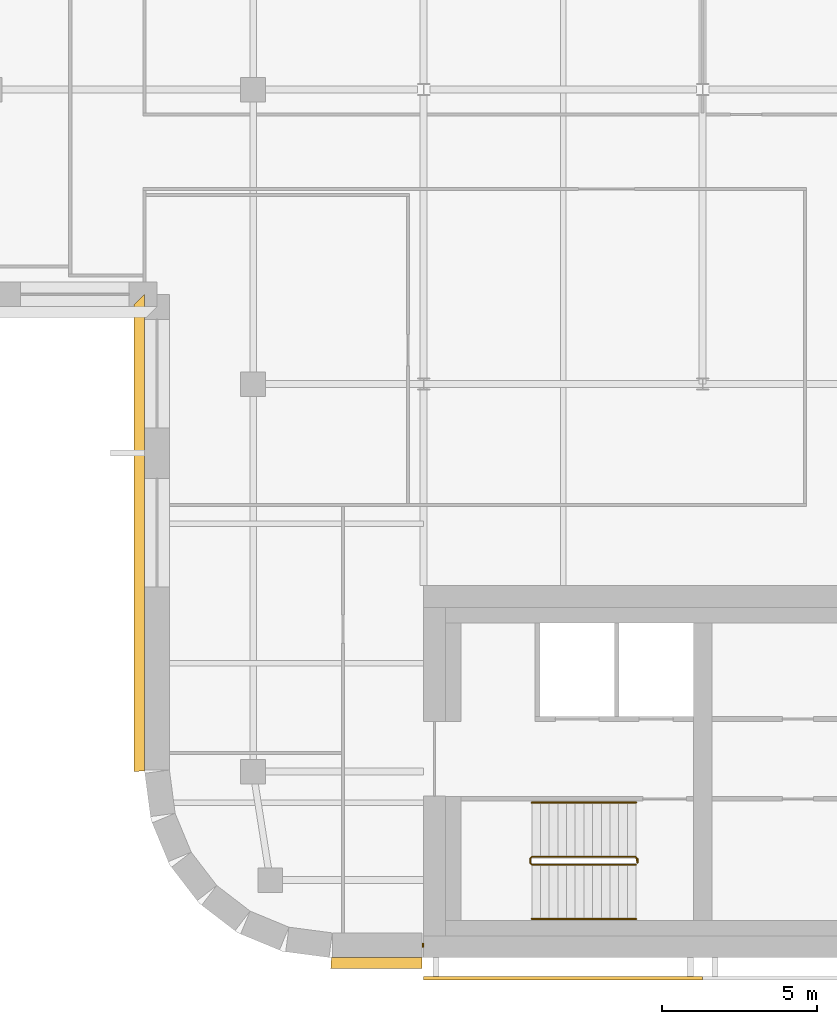
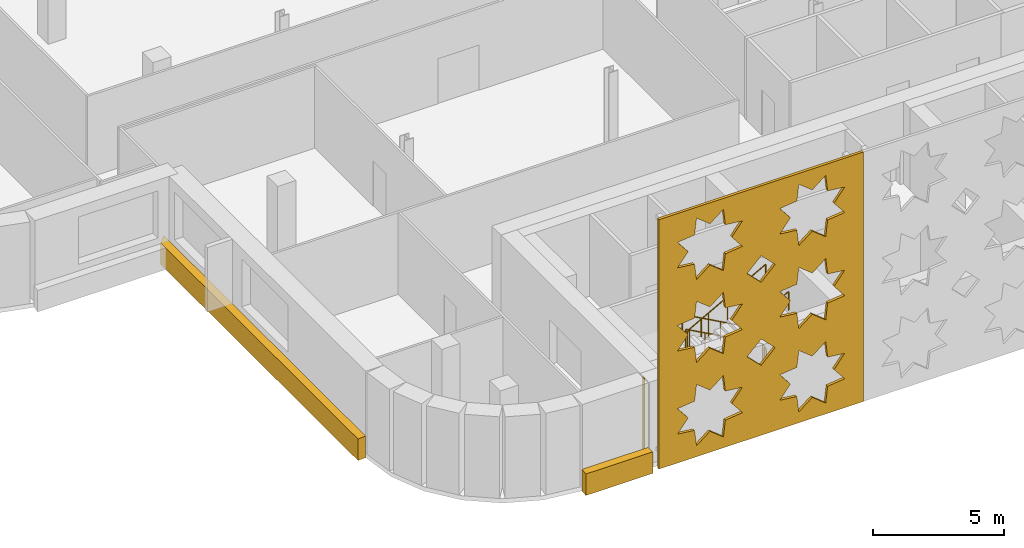
# One storey, part 13 of 17: 4 coverings, 3 railings.
"""IFC4 building model written with IfcOpenShell, lengths in metres."""

from ifc_helpers import new_model, si_unit, direction, frame, origin, origin_2d, place, context, subcontext, project, spatial, polyline, rectangle, circle, outline, extrude, material, layer, layer_set, type_object, element, save


model = new_model("IFC4")

# Units and contexts
model_context = context("Model", 3, precision=1e-05, world=origin(), true_north=direction((0.0, 1.0)))
body_context = subcontext(model_context, "Body", "Model", "MODEL_VIEW")
ifc_project = project(units=[si_unit("LENGTHUNIT", "METRE"), si_unit("AREAUNIT", "SQUARE_METRE"), si_unit("VOLUMEUNIT", "CUBIC_METRE"), si_unit("PLANEANGLEUNIT", "RADIAN"), si_unit("MASSUNIT", "GRAM", prefix="KILO")], contexts=[model_context])

# Site, building, storey
site_placement = place(None, origin())
site = spatial("IfcSite", under=ifc_project, at=site_placement, CompositionType="ELEMENT")
building_placement = place(site_placement, origin())
building = spatial("IfcBuilding", under=site, at=building_placement, Name="Zellij Exchange Tower", CompositionType="ELEMENT")
storey_placement = place(building_placement, frame((0.0, 0.0, 252.5)))
storey = spatial("IfcBuildingStorey", under=building, at=storey_placement, Name="L59", CompositionType="ELEMENT", Elevation=252.5)

# Railings
ifc_material_1 = material(Name="Stainless steel", Category="steel")
railing_type_1 = type_object("IfcRailingType", Name="CORE-RG stair guard", PredefinedType="GUARDRAIL", material=ifc_material_1)
railing_1_placement = place(storey_placement, frame((-20.10009765625, -10.800048828125, 0.0)))
element("IfcRailing", 1, at=railing_1_placement, inside=storey, type_object=railing_type_1, Name="ST1 stair guard L59", PredefinedType="GUARDRAIL", context=body_context, shape_type="SweptSolid", body=[
    extrude(circle(Radius=0.02392578125, at=origin_2d()), frame((0.0, 0.0, 1.076171875), z_axis=(0.0, -1.0, 0.0), x_axis=(1.0, 0.0, 0.0)), (0.0, 0.0, 1.0), 0.14990234375),
    extrude(circle(Radius=0.02392578125, at=origin_2d()), frame((0.0, -0.14990234375, 1.076171875), z_axis=(-0.193691321961, 0.777613689637, 0.598164376644), x_axis=(-0.970351222016, -0.241699205484, 0.0)), (0.0, 0.0, 1.0), 0.257080078125),
    extrude(circle(Radius=0.02392578125, at=origin_2d()), frame((-0.0498046875, 0.050048828125, 1.22998046875), z_axis=(-0.876421534553, 0.0, 0.481544695509), x_axis=(0.0, -1.0, 0.0)), (0.0, 0.0, 1.0), 3.833984375),
    extrude(circle(Radius=0.02392578125, at=origin_2d()), frame((-3.409912109375, 0.050048828125, 3.076171875), z_axis=(-0.707106781187, -0.707106781187, 0.0), x_axis=(0.707106781187, -0.707106781187, 0.0)), (0.0, 0.0, 1.0), 0.07080078125),
    extrude(circle(Radius=0.02392578125, at=origin_2d()), frame((-3.4599609375, 0.0, 3.076171875), z_axis=(0.0, -1.0, 0.0), x_axis=(1.0, 0.0, 0.0)), (0.0, 0.0, 1.0), 0.14990234375),
    extrude(circle(Radius=0.02392578125, at=origin_2d()), frame((-3.4599609375, -0.14990234375, 3.076171875), z_axis=(0.295599637079, -0.295599637079, 0.908428152975), x_axis=(0.707106781187, 0.707106781187, 0.0)), (0.0, 0.0, 1.0), 0.16943359375),
    extrude(circle(Radius=0.02392578125, at=origin_2d()), frame((-3.409912109375, -0.199951171875, 3.22998046875), z_axis=(0.876421534553, 0.0, 0.481544695509), x_axis=(0.0, 1.0, 0.0)), (0.0, 0.0, 1.0), 3.833984375),
    extrude(circle(Radius=0.02099609375, at=origin_2d()), origin(), (0.0, 0.0, 1.0), 1.052001953125),
    extrude(circle(Radius=0.02099609375, at=origin_2d()), frame((0.0, -0.14990234375, 0.0)), (0.0, 0.0, 1.0), 1.052001953125),
    extrude(circle(Radius=0.02099609375, at=origin_2d()), frame((-0.0498046875, 0.050048828125, 0.15380859375)), (0.0, 0.0, 1.0), 1.052001953125),
    extrude(circle(Radius=0.02099609375, at=origin_2d()), frame((-0.889892578125, 0.050048828125, 0.615234375)), (0.0, 0.0, 1.0), 1.052001953125),
    extrude(circle(Radius=0.02099609375, at=origin_2d()), frame((-1.72998046875, 0.050048828125, 1.076904296875)), (0.0, 0.0, 1.0), 1.052001953125),
    extrude(circle(Radius=0.02099609375, at=origin_2d()), frame((-2.56982421875, 0.050048828125, 1.53857421875)), (0.0, 0.0, 1.0), 1.052001953125),
    extrude(circle(Radius=0.02099609375, at=origin_2d()), frame((-3.409912109375, 0.050048828125, 2.0)), (0.0, 0.0, 1.0), 1.052001953125),
    extrude(circle(Radius=0.02099609375, at=origin_2d()), frame((-3.4599609375, 0.0, 2.0)), (0.0, 0.0, 1.0), 1.052001953125),
    extrude(circle(Radius=0.02099609375, at=origin_2d()), frame((-3.4599609375, -0.14990234375, 2.0)), (0.0, 0.0, 1.0), 1.052001953125),
    extrude(circle(Radius=0.02099609375, at=origin_2d()), frame((-3.409912109375, -0.199951171875, 2.15380859375)), (0.0, 0.0, 1.0), 1.052001953125),
    extrude(circle(Radius=0.02099609375, at=origin_2d()), frame((-2.56982421875, -0.199951171875, 2.615234375)), (0.0, 0.0, 1.0), 1.052001953125),
    extrude(circle(Radius=0.02099609375, at=origin_2d()), frame((-1.72998046875, -0.199951171875, 3.076904296875)), (0.0, 0.0, 1.0), 1.052001953125),
    extrude(circle(Radius=0.02099609375, at=origin_2d()), frame((-0.889892578125, -0.199951171875, 3.53857421875)), (0.0, 0.0, 1.0), 1.052001953125),
    extrude(circle(Radius=0.02099609375, at=origin_2d()), frame((-0.0498046875, -0.199951171875, 4.0)), (0.0, 0.0, 1.0), 1.052001953125),
])
railing_type_2 = type_object("IfcRailingType", Name="CORE-RH stair handrail", PredefinedType="HANDRAIL", material=ifc_material_1)
railing_2_placement = place(storey_placement, frame((-20.14990234375, -9.0, 0.15380859375)))
element("IfcRailing", 2, at=railing_2_placement, inside=storey, type_object=railing_type_2, Name="ST1 stair handrail L59", PredefinedType="HANDRAIL", context=body_context, shape_type="SweptSolid", body=[
    extrude(circle(Radius=0.02392578125, at=origin_2d()), frame((0.0, 0.0, 0.8759765625), z_axis=(-0.876421534553, 0.0, 0.481544695509), x_axis=(0.0, -1.0, 0.0)), (0.0, 0.0, 1.0), 3.833984375),
    extrude(circle(Radius=0.02099609375, at=origin_2d()), origin(), (0.0, 0.0, 1.0), 0.851806640625),
    extrude(circle(Radius=0.02099609375, at=origin_2d()), frame((-0.840087890625, 0.0, 0.46142578125)), (0.0, 0.0, 1.0), 0.851806640625),
    extrude(circle(Radius=0.02099609375, at=origin_2d()), frame((-1.68017578125, 0.0, 0.923095703125)), (0.0, 0.0, 1.0), 0.851806640625),
    extrude(circle(Radius=0.02099609375, at=origin_2d()), frame((-2.52001953125, 0.0, 1.384765625)), (0.0, 0.0, 1.0), 0.851806640625),
    extrude(circle(Radius=0.02099609375, at=origin_2d()), frame((-3.360107421875, 0.0, 1.84619140625)), (0.0, 0.0, 1.0), 0.851806640625),
])
railing_3_placement = place(storey_placement, frame((-23.510009765625, -12.75, 2.15380859375)))
element("IfcRailing", 3, at=railing_3_placement, inside=storey, type_object=railing_type_2, Name="ST1 stair handrail L59", PredefinedType="HANDRAIL", context=body_context, shape_type="SweptSolid", body=[
    extrude(circle(Radius=0.02392578125, at=origin_2d()), frame((0.0, 0.0, 0.8759765625), z_axis=(0.876421534553, 0.0, 0.481544695509), x_axis=(0.0, 1.0, 0.0)), (0.0, 0.0, 1.0), 3.833984375),
    extrude(circle(Radius=0.02099609375, at=origin_2d()), origin(), (0.0, 0.0, 1.0), 0.851806640625),
    extrude(circle(Radius=0.02099609375, at=origin_2d()), frame((0.840087890625, 0.0, 0.46142578125)), (0.0, 0.0, 1.0), 0.851806640625),
    extrude(circle(Radius=0.02099609375, at=origin_2d()), frame((1.68017578125, 0.0, 0.923095703125)), (0.0, 0.0, 1.0), 0.851806640625),
    extrude(circle(Radius=0.02099609375, at=origin_2d()), frame((2.52001953125, 0.0, 1.384765625)), (0.0, 0.0, 1.0), 0.851806640625),
    extrude(circle(Radius=0.02099609375, at=origin_2d()), frame((3.360107421875, 0.0, 1.84619140625)), (0.0, 0.0, 1.0), 0.851806640625),
])

# Coverings
ifc_material_2 = material(Name="Limestone cladding", Category="masonry")
ifc_layer_1 = layer(ifc_material_2, 0.35009765625)
ifc_layer_set_1 = layer_set([ifc_layer_1], Name="Limestone cladding")
covering_type_1 = type_object("IfcCoveringType", Name="ENV-CV10 Stone spandrel band 350", PredefinedType="CLADDING", material=ifc_layer_set_1)
covering_1_placement = place(storey_placement, frame((0.0, 0.0, -0.199951171875)))
element("IfcCovering", 4, at=covering_1_placement, inside=storey, type_object=covering_type_1, Name="Stone spandrel band", PredefinedType="CLADDING", context=body_context, shape_type="SweptSolid", body=[
    extrude(outline(polyline([(-29.973876953125, -14.0), (-27.050048828125, -14.0), (-27.050048828125, -14.35009765625), (-29.99658203125, -14.35009765625), (-29.973876953125, -14.0)])), origin(), (0.0, 0.0, 1.0), 1.0),
])
covering_2_placement = place(storey_placement, frame((0.0, 0.0, -0.199951171875)))
element("IfcCovering", 5, at=covering_2_placement, inside=storey, type_object=covering_type_1, Name="Stone spandrel band", PredefinedType="CLADDING", context=body_context, shape_type="SweptSolid", body=[
    extrude(outline(polyline([(-36.0, 7.39990234375), (-36.0, -7.973876953125), (-36.35009765625, -7.99658203125), (-36.35009765625, 7.050048828125), (-36.0, 7.39990234375)])), origin(), (0.0, 0.0, 1.0), 1.0),
])
ifc_layer_2 = layer(ifc_material_2, 0.1201171875)
ifc_layer_set_2 = layer_set([ifc_layer_2], Name="Limestone cladding")
covering_type_2 = type_object("IfcCoveringType", Name="ENV-CV18 Glazing closer 120", PredefinedType="CLADDING", material=ifc_layer_set_2)
covering_3_placement = place(storey_placement, frame((-27.02490234375, -13.60009765625, 0.0), z_axis=(0.0, 0.0, 1.0), x_axis=(1.0, 0.0, 0.0)))
element("IfcCovering", 6, at=covering_3_placement, inside=storey, type_object=covering_type_2, Name="Glazing closer", PredefinedType="CLADDING", context=body_context, shape_type="SweptSolid", body=[
    extrude(rectangle(XDim=0.050048828125, YDim=0.1201171875, at=origin_2d()), origin(), (0.0, 0.0, 1.0), 3.800048828125),
])
ifc_material_3 = material(Name="Limestone screen", Category="masonry")
ifc_layer_3 = layer(ifc_material_3, 0.1201171875)
ifc_layer_set_3 = layer_set([ifc_layer_3], Name="Limestone screen")
covering_type_3 = type_object("IfcCoveringType", Name="ENV-SC5 Pierced stone relief 120", PredefinedType="USERDEFINED", material=ifc_layer_set_3)
covering_4_placement = place(storey_placement, frame((-27.0, -14.659912109375, 0.199951171875), z_axis=(0.0, 0.0, 1.0), x_axis=(1.0, 0.0, 0.0)))
element("IfcCovering", 7, at=covering_4_placement, inside=storey, type_object=covering_type_3, Name="Pierced stone relief", ObjectType="SCREEN", PredefinedType="USERDEFINED", context=body_context, shape_type="SweptSolid", body=[
    extrude(outline(polyline([(0.0, 0.0), (9.0, 0.0), (9.0, 11.60009765625), (0.0, 11.60009765625), (0.0, 0.0)]), holes=[polyline([(3.678955078125, 2.525146484375), (2.927978515625, 2.611328125), (2.841796875, 3.3623046875), (2.25, 2.892333984375), (1.658203125, 3.3623046875), (1.572021484375, 2.611328125), (0.821044921875, 2.525146484375), (1.291015625, 1.933349609375), (0.821044921875, 1.34130859375), (1.572021484375, 1.25537109375), (1.658203125, 0.50439453125), (2.25, 0.974365234375), (2.841796875, 0.50439453125), (2.927978515625, 1.25537109375), (3.678955078125, 1.34130859375), (3.208984375, 1.933349609375), (3.678955078125, 2.525146484375)]), polyline([(3.678955078125, 6.391845703125), (2.927978515625, 6.47802734375), (2.841796875, 7.22900390625), (2.25, 6.7587890625), (1.658203125, 7.22900390625), (1.572021484375, 6.47802734375), (0.821044921875, 6.391845703125), (1.291015625, 5.800048828125), (0.821044921875, 5.2080078125), (1.572021484375, 5.121826171875), (1.658203125, 4.37109375), (2.25, 4.841064453125), (2.841796875, 4.37109375), (2.927978515625, 5.121826171875), (3.678955078125, 5.2080078125), (3.208984375, 5.800048828125), (3.678955078125, 6.391845703125)]), polyline([(3.678955078125, 10.258544921875), (2.927978515625, 10.3447265625), (2.841796875, 11.095703125), (2.25, 10.62548828125), (1.658203125, 11.095703125), (1.572021484375, 10.3447265625), (0.821044921875, 10.258544921875), (1.291015625, 9.666748046875), (0.821044921875, 9.07470703125), (1.572021484375, 8.988525390625), (1.658203125, 8.23779296875), (2.25, 8.707763671875), (2.841796875, 8.23779296875), (2.927978515625, 8.988525390625), (3.678955078125, 9.07470703125), (3.208984375, 9.666748046875), (3.678955078125, 10.258544921875)]), polyline([(8.178955078125, 2.525146484375), (7.427978515625, 2.611328125), (7.341796875, 3.3623046875), (6.75, 2.892333984375), (6.158203125, 3.3623046875), (6.072021484375, 2.611328125), (5.321044921875, 2.525146484375), (5.791015625, 1.933349609375), (5.321044921875, 1.34130859375), (6.072021484375, 1.25537109375), (6.158203125, 0.50439453125), (6.75, 0.974365234375), (7.341796875, 0.50439453125), (7.427978515625, 1.25537109375), (8.178955078125, 1.34130859375), (7.708984375, 1.933349609375), (8.178955078125, 2.525146484375)]), polyline([(8.178955078125, 6.391845703125), (7.427978515625, 6.47802734375), (7.341796875, 7.22900390625), (6.75, 6.7587890625), (6.158203125, 7.22900390625), (6.072021484375, 6.47802734375), (5.321044921875, 6.391845703125), (5.791015625, 5.800048828125), (5.321044921875, 5.2080078125), (6.072021484375, 5.121826171875), (6.158203125, 4.37109375), (6.75, 4.841064453125), (7.341796875, 4.37109375), (7.427978515625, 5.121826171875), (8.178955078125, 5.2080078125), (7.708984375, 5.800048828125), (8.178955078125, 6.391845703125)]), polyline([(8.178955078125, 10.258544921875), (7.427978515625, 10.3447265625), (7.341796875, 11.095703125), (6.75, 10.62548828125), (6.158203125, 11.095703125), (6.072021484375, 10.3447265625), (5.321044921875, 10.258544921875), (5.791015625, 9.666748046875), (5.321044921875, 9.07470703125), (6.072021484375, 8.988525390625), (6.158203125, 8.23779296875), (6.75, 8.707763671875), (7.341796875, 8.23779296875), (7.427978515625, 8.988525390625), (8.178955078125, 9.07470703125), (7.708984375, 9.666748046875), (8.178955078125, 10.258544921875)]), polyline([(5.11865234375, 3.86669921875), (4.5, 4.4853515625), (3.88134765625, 3.86669921875), (4.5, 3.248046875), (5.11865234375, 3.86669921875)]), polyline([(5.11865234375, 7.7333984375), (4.5, 8.35205078125), (3.88134765625, 7.7333984375), (4.5, 7.11474609375), (5.11865234375, 7.7333984375)])]), frame((0.0, 0.06005859375, 0.0), z_axis=(0.0, -1.0, 0.0), x_axis=(1.0, 0.0, 0.0)), (0.0, 0.0, 1.0), 0.1201171875),
])

save(model, "model.ifc")
